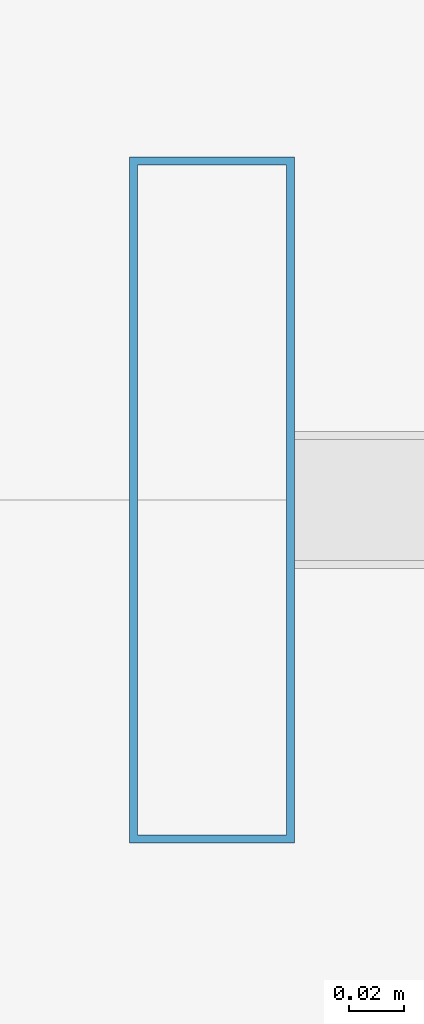
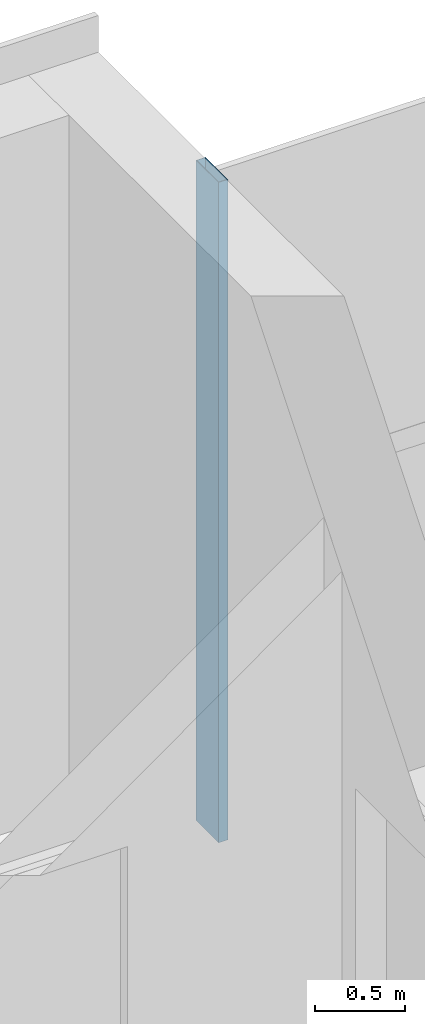
# One storey, part 7 of 14: 1 member, 1 element without a shape of its own.
"""IFC4 building model written with IfcOpenShell, lengths in metres."""

from ifc_helpers import new_model, si_unit, direction, frame, origin, origin_2d, place, context, subcontext, project, spatial, hollow_rectangle, extrude, material, material_profile, profile_set, type_object, element, aggregate, save


model = new_model("IFC4")

# Units and contexts
model_context = context("Model", 3, precision=1e-05, world=origin(), true_north=direction((0.0, 1.0)))
body_context = subcontext(model_context, "Body", "Model", "MODEL_VIEW")
ifc_project = project(units=[si_unit("LENGTHUNIT", "METRE"), si_unit("AREAUNIT", "SQUARE_METRE"), si_unit("VOLUMEUNIT", "CUBIC_METRE"), si_unit("PLANEANGLEUNIT", "RADIAN"), si_unit("MASSUNIT", "GRAM", prefix="KILO")], contexts=[model_context])

# Site, building, storey
site_placement = place(None, origin())
site = spatial("IfcSite", under=ifc_project, at=site_placement, CompositionType="ELEMENT")
building_placement = place(site_placement, origin())
building = spatial("IfcBuilding", under=site, at=building_placement, Name="Altepetl Exchange Towers", CompositionType="ELEMENT")
storey_placement = place(building_placement, frame((0.0, 0.0, 269.60009765625)))
storey = spatial("IfcBuildingStorey", under=building, at=storey_placement, Name="L68 Observation gallery", CompositionType="ELEMENT", Elevation=269.60009765625)

# Curtain wall, member
ifc_material_1 = material(Name="Aluminium 6063-T6 glazing", Category="aluminium")
curtain_wall_type = type_object("IfcCurtainWallType", Name="Executive flush glazing system", PredefinedType="NOTDEFINED", material=ifc_material_1)
curtain_wall_placement = place(storey_placement, origin())
curtain_wall = element("IfcCurtainWall", 1, at=curtain_wall_placement, inside=storey, type_object=curtain_wall_type, Name="CW4 run", PredefinedType="NOTDEFINED")
ifc_material_2 = material(Name="Aluminium 6063-T6", Category="aluminium")
ifc_material_profile = material_profile(ifc_material_2, hollow_rectangle(XDim=0.06005859375, YDim=0.25, WallThickness=0.0029296875, at=origin_2d()), Name="Mullion 60x250 hollow aluminium")
ifc_profile_set = profile_set([ifc_material_profile], Name="Aluminium 6063-T6")
member_type = type_object("IfcMemberType", Name="Mullion 60x250 hollow aluminium", PredefinedType="MULLION", material=ifc_profile_set)
member_placement = place(storey_placement, frame((58.655029296875, 57.5, 0.0), z_axis=(0.0, 0.0, 1.0), x_axis=(-1.0, 0.0, 0.0)))
member = element("IfcMember", 2, at=member_placement, type_object=member_type, Name="MU3 mullion", PredefinedType="MULLION", context=body_context, shape_type="SweptSolid", body=[
    extrude(hollow_rectangle(XDim=0.06005859375, YDim=0.25, WallThickness=0.0029296875, at=origin_2d()), origin(), (0.0, 0.0, 1.0), 4.5),
])
aggregate(curtain_wall, [member])

save(model, "model.ifc")
